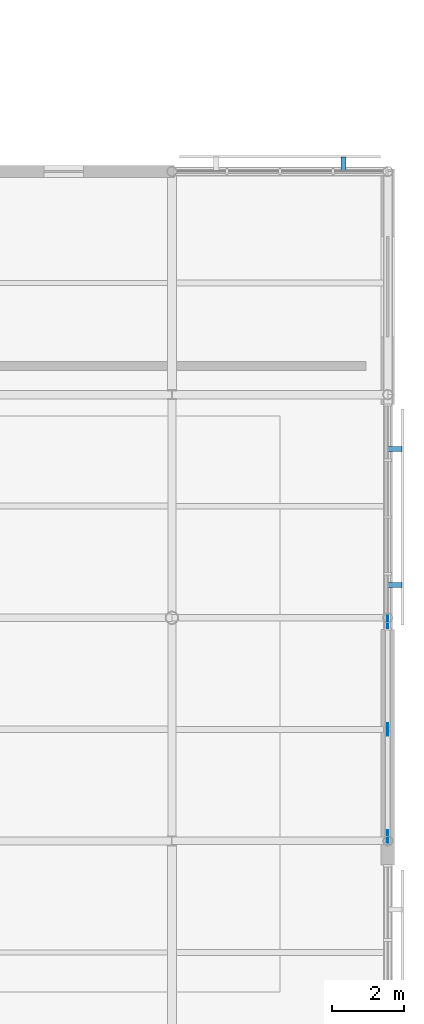
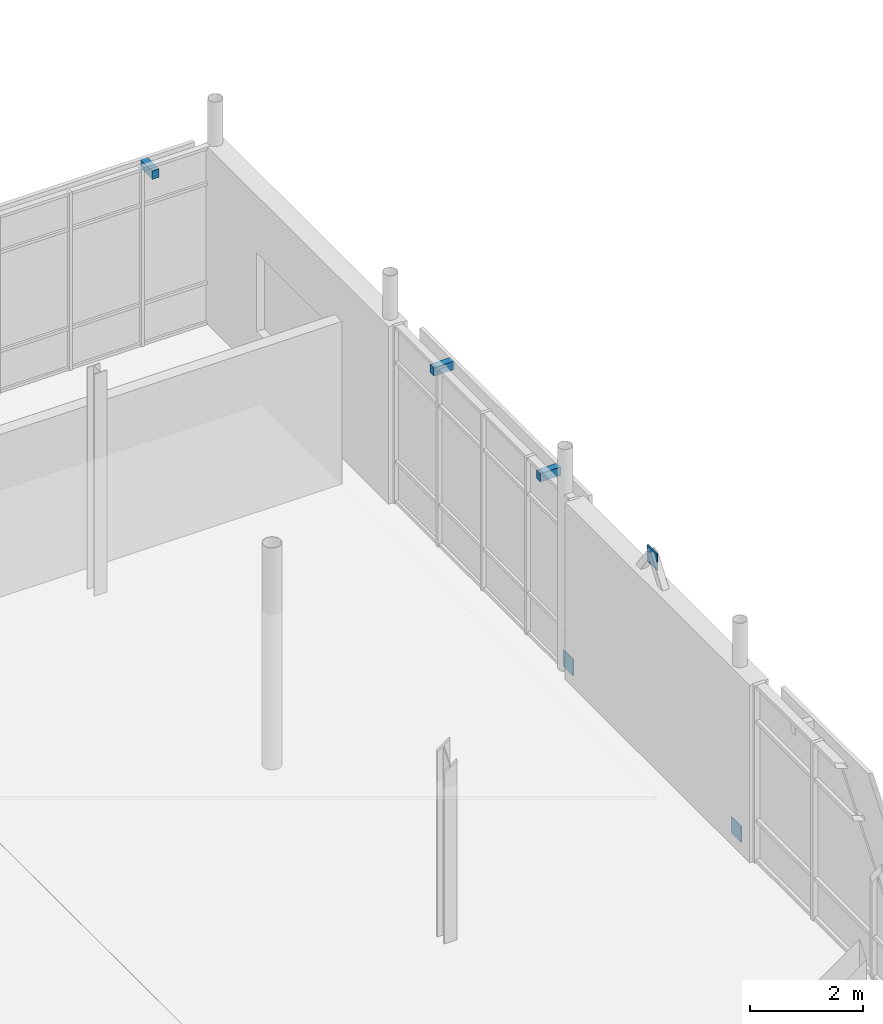
# One storey, part 74 of 84: 6 discrete accessories.
"""IFC4 building model written with IfcOpenShell, lengths in metres."""

from ifc_helpers import new_model, si_unit, direction, frame, origin, origin_2d, place, context, subcontext, project, spatial, rectangle, extrude, material, type_object, element, save


model = new_model("IFC4")

# Units and contexts
model_context = context("Model", 3, precision=1e-05, world=origin(), true_north=direction((0.0, 1.0)))
body_context = subcontext(model_context, "Body", "Model", "MODEL_VIEW")
ifc_project = project(units=[si_unit("LENGTHUNIT", "METRE"), si_unit("AREAUNIT", "SQUARE_METRE"), si_unit("VOLUMEUNIT", "CUBIC_METRE"), si_unit("PLANEANGLEUNIT", "RADIAN"), si_unit("MASSUNIT", "GRAM", prefix="KILO")], contexts=[model_context])

# Site, building, storey
site_placement = place(None, origin())
site = spatial("IfcSite", under=ifc_project, at=site_placement, CompositionType="ELEMENT")
building_placement = place(site_placement, origin())
building = spatial("IfcBuilding", under=site, at=building_placement, Name="Mirzam Square Science Centre", CompositionType="ELEMENT")
storey_placement = place(building_placement, frame((0.0, 0.0, 10.800048828125)))
storey = spatial("IfcBuildingStorey", under=building, at=storey_placement, Name="L02", CompositionType="ELEMENT", Elevation=10.800048828125)

# Discrete accessories
ifc_material = material(Name="Steel S355", Category="steel")
discrete_accessory_type_1 = type_object("IfcDiscreteAccessoryType", Name="BK-BRACE-GUSSET", PredefinedType="BRACKET", material=ifc_material)
for number, where, z_axis, x_axis, name in (
    (1, (162.0, 68.320068359375, -0.005126953125), (0.0, 0.0, 1.0), (0.0, 1.0, 0.0), "L02 brace gusset plate 5A"),
    (2, (162.0, 74.280029296875, -0.005126953125), (0.0, 0.0, 1.0), (0.0, 1.0, 0.0), "L02 brace gusset plate 5B"),
    (3, (162.0, 71.300048828125, 4.079833984375), (0.0, 0.0, 1.0), (0.0, 1.0, 0.0), "L02 brace apex gusset plate 5"),
):
    element("IfcDiscreteAccessory", number, at=place(storey_placement, frame(where, z_axis=z_axis, x_axis=x_axis)), inside=storey, type_object=discrete_accessory_type_1, Name=name, PredefinedType="BRACKET", context=body_context, shape_type="SweptSolid", body=[
        extrude(rectangle(XDim=0.35009765625, YDim=0.02490234375, at=origin_2d()), origin(), (0.0, 0.0, 1.0), 0.35009765625),
    ])
discrete_accessory_type_2 = type_object("IfcDiscreteAccessoryType", Name="BRK-BRISE-STEEL", PredefinedType="BRACKET", material=ifc_material)
for number, where, z_axis, x_axis, name in (
    (4, (162.18994140625, 75.31298828125, 3.5), (0.0, 0.0, 1.0), (0.0, 1.0, 0.0), "L02 brise-soleil support bracket 96"),
    (5, (162.18994140625, 79.0869140625, 3.5), (0.0, 0.0, 1.0), (0.0, 1.0, 0.0), "L02 brise-soleil support bracket 96"),
    (6, (160.76708984375, 86.989990234375, 3.5), (0.0, 0.0, 1.0), (-1.0, 0.0, 0.0), "L02 brise-soleil support bracket 97"),
):
    element("IfcDiscreteAccessory", number, at=place(storey_placement, frame(where, z_axis=z_axis, x_axis=x_axis)), inside=storey, type_object=discrete_accessory_type_2, Name=name, PredefinedType="BRACKET", context=body_context, shape_type="SweptSolid", body=[
        extrude(rectangle(XDim=0.139892578125, YDim=0.419921875, at=origin_2d()), origin(), (0.0, 0.0, 1.0), 0.179931640625),
    ])

save(model, "model.ifc")
